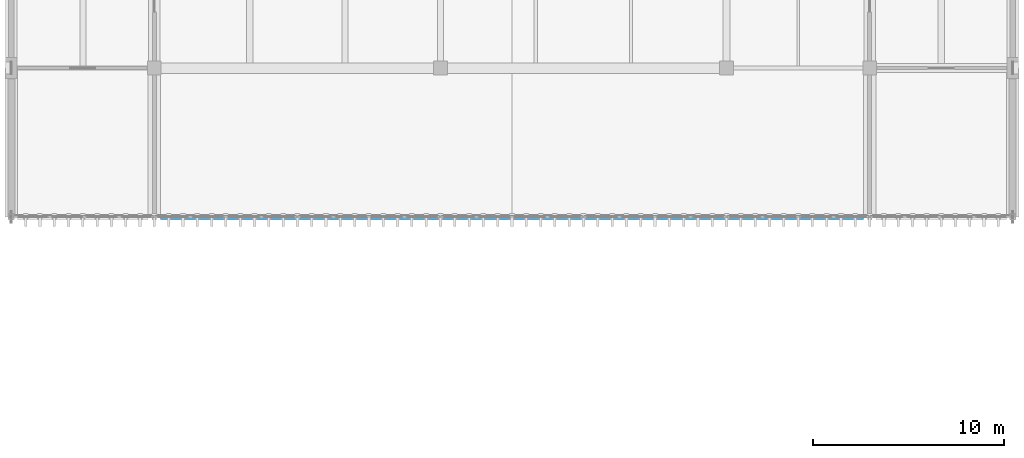
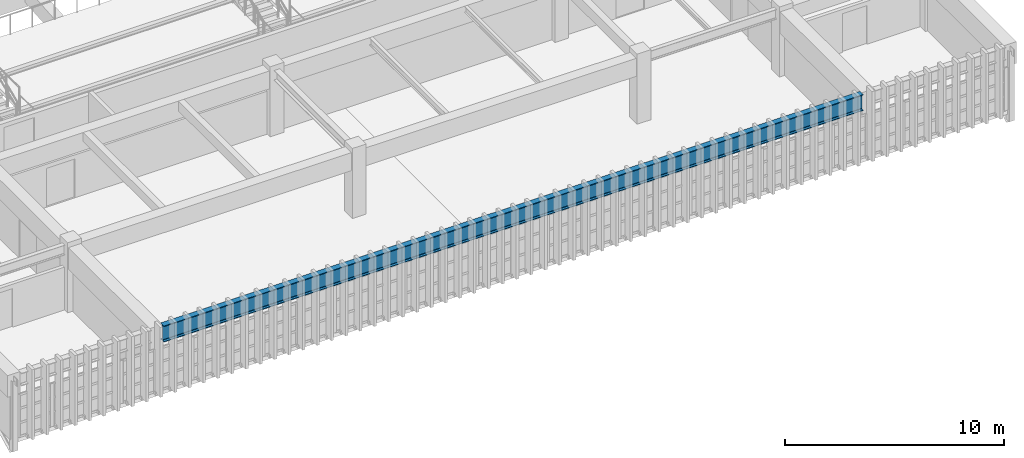
# One storey, part 41 of 101: 1 beam.
"""IFC4 building model written with IfcOpenShell, lengths in metres."""

from ifc_helpers import new_model, si_unit, direction, frame, origin, origin_2d, place, context, subcontext, project, spatial, i_section, extrude, material, material_profile, profile_set, type_object, element, save


model = new_model("IFC4")

# Units and contexts
model_context = context("Model", 3, precision=1e-05, world=origin(), true_north=direction((0.0, 1.0)))
body_context = subcontext(model_context, "Body", "Model", "MODEL_VIEW")
ifc_project = project(units=[si_unit("LENGTHUNIT", "METRE"), si_unit("AREAUNIT", "SQUARE_METRE"), si_unit("VOLUMEUNIT", "CUBIC_METRE"), si_unit("PLANEANGLEUNIT", "RADIAN"), si_unit("MASSUNIT", "GRAM", prefix="KILO")], contexts=[model_context])

# Site, building, storey
site_placement = place(None, origin())
site = spatial("IfcSite", under=ifc_project, at=site_placement, CompositionType="ELEMENT")
building_placement = place(site_placement, origin())
building = spatial("IfcBuilding", under=site, at=building_placement, Name="Qasida Concert Hall", CompositionType="ELEMENT")
storey_placement = place(building_placement, frame((0.0, 0.0, 13.199951171875)))
storey = spatial("IfcBuildingStorey", under=building, at=storey_placement, Name="L03", CompositionType="ELEMENT", Elevation=13.199951171875)

# Beam
ifc_material = material(Name="Steel S355J2", Category="steel")
ifc_material_profile = material_profile(ifc_material, i_section(OverallWidth=0.300048828125, OverallDepth=0.89990234375, WebThickness=0.0185546875, FlangeThickness=0.034912109375, FilletRadius=0.030029296875, at=origin_2d()), Name="HEB 900")
ifc_profile_set = profile_set([ifc_material_profile], Name="Steel S355J2")
beam_type = type_object("IfcBeamType", Name="BM-B9", PredefinedType="BEAM", material=ifc_profile_set)
beam_placement = place(storey_placement, frame((60.324951171875, 14.699951171875, 3.170166015625), z_axis=(1.0, 0.0, 0.0), x_axis=(0.0, 1.0, 0.0)))
element("IfcBeam", 1, at=beam_placement, inside=storey, type_object=beam_type, Name="Front overhang fascia beam 020", PredefinedType="BEAM", context=body_context, shape_type="SweptSolid", body=[
    extrude(i_section(OverallWidth=0.300048828125, OverallDepth=0.89990234375, WebThickness=0.0185546875, FlangeThickness=0.034912109375, FilletRadius=0.030029296875, at=origin_2d()), origin(), (0.0, 0.0, 1.0), 36.85009765625),
])

save(model, "model.ifc")
